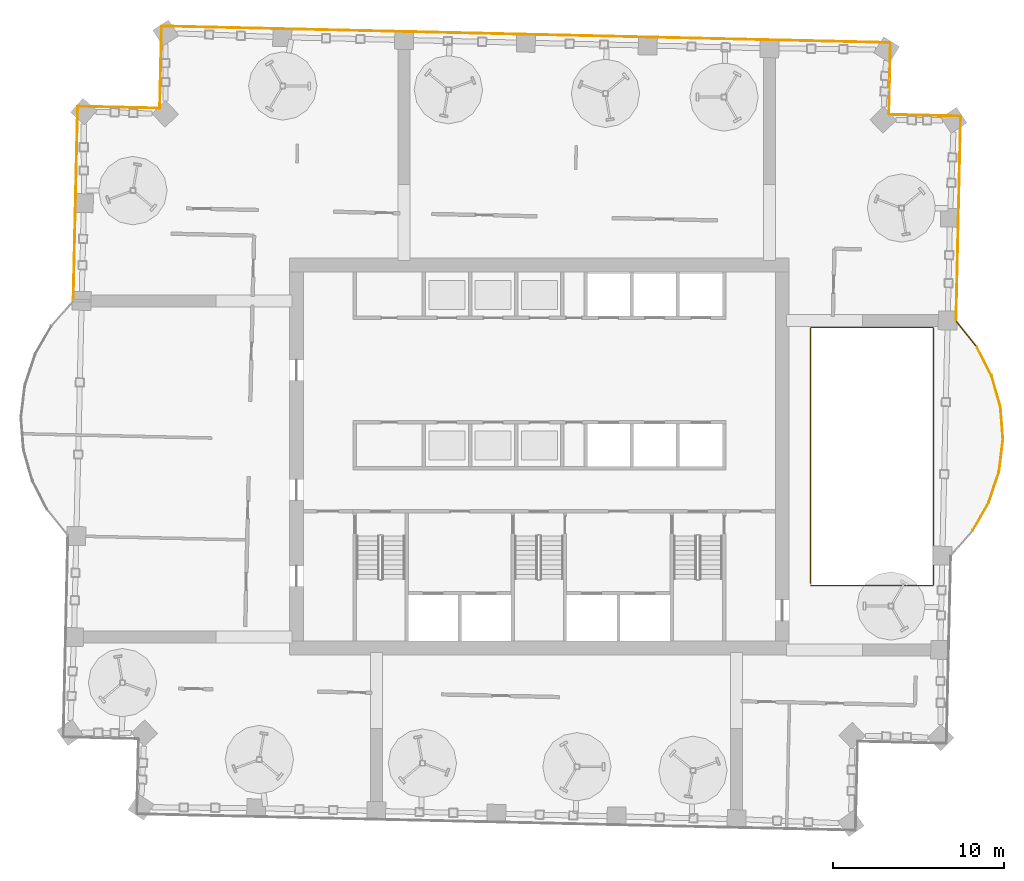
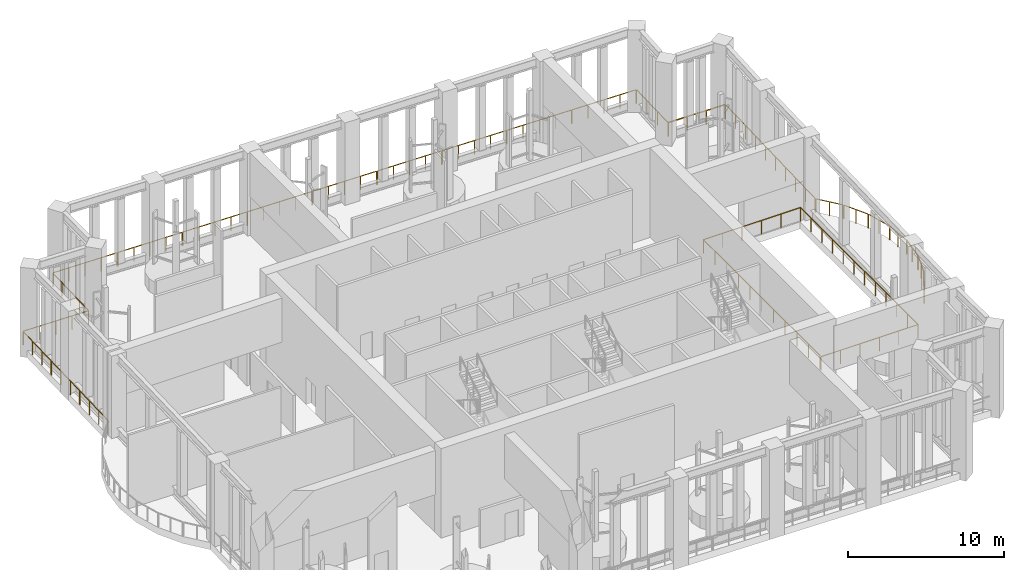
# One storey, part 31 of 33: 27 railings.
"""IFC4 building model written with IfcOpenShell, lengths in metres."""

from ifc_helpers import new_model, si_unit, direction, frame, origin, origin_2d, place, context, subcontext, project, spatial, rectangle, extrude, material, type_object, element, save


model = new_model("IFC4")

# Units and contexts
model_context = context("Model", 3, precision=1e-05, world=origin(), true_north=direction((0.0, 1.0)))
body_context = subcontext(model_context, "Body", "Model", "MODEL_VIEW")
ifc_project = project(units=[si_unit("LENGTHUNIT", "METRE"), si_unit("AREAUNIT", "SQUARE_METRE"), si_unit("VOLUMEUNIT", "CUBIC_METRE"), si_unit("PLANEANGLEUNIT", "RADIAN"), si_unit("MASSUNIT", "GRAM", prefix="KILO")], contexts=[model_context])

# Site, building, storey
site_placement = place(None, origin())
site = spatial("IfcSite", under=ifc_project, at=site_placement, CompositionType="ELEMENT")
building_placement = place(site_placement, origin())
building = spatial("IfcBuilding", under=site, at=building_placement, Name="Mangrove Gate Tower", CompositionType="ELEMENT")
storey_placement = place(building_placement, frame((0.0, 0.0, 219.5)))
storey = spatial("IfcBuildingStorey", under=building, at=storey_placement, Name="L56", CompositionType="ELEMENT", Elevation=219.5)

# Railings
ifc_material = material(Name="Stainless steel grade 316 with laminated glass infill", Category="steel")
railing_type = type_object("IfcRailingType", Name="Balcony guard 1100", PredefinedType="GUARDRAIL", material=ifc_material)
railing_1_placement = place(storey_placement, frame((25.337890625, -4.31298828125, 0.0)))
element("IfcRailing", 1, at=railing_1_placement, inside=storey, type_object=railing_type, Name="GUARD L56 slot 5", PredefinedType="GUARDRAIL", context=body_context, shape_type="SweptSolid", body=[
    extrude(rectangle(XDim=0.048095703125, YDim=0.048095703125, at=origin_2d()), frame((0.0, 0.0, 1.076171875), z_axis=(0.498692827575, 0.866778785923, 0.0), x_axis=(-0.866778785923, 0.498692827575, 0.0)), (0.0, 0.0, 1.0), 1.84130859375),
    extrude(rectangle(XDim=0.0419921875, YDim=0.0419921875, at=origin_2d()), origin(), (0.0, 0.0, 1.0), 1.052001953125),
    extrude(rectangle(XDim=0.0419921875, YDim=0.0419921875, at=origin_2d()), frame((0.458984375, 0.7978515625, 0.0)), (0.0, 0.0, 1.0), 1.052001953125),
    extrude(rectangle(XDim=0.0419921875, YDim=0.0419921875, at=origin_2d()), frame((0.918212890625, 1.595947265625, 0.0)), (0.0, 0.0, 1.0), 1.052001953125),
])
railing_2_placement = place(storey_placement, frame((26.280029296875, -2.662109375, 0.0)))
element("IfcRailing", 2, at=railing_2_placement, inside=storey, type_object=railing_type, Name="GUARD L56 slot 6", PredefinedType="GUARDRAIL", context=body_context, shape_type="SweptSolid", body=[
    extrude(rectangle(XDim=0.048095703125, YDim=0.048095703125, at=origin_2d()), frame((0.0, 0.0, 1.076171875), z_axis=(0.316705170951, 0.948524029581, 0.0), x_axis=(-0.948524029581, 0.316705170951, 0.0)), (0.0, 0.0, 1.0), 1.8408203125),
    extrude(rectangle(XDim=0.0419921875, YDim=0.0419921875, at=origin_2d()), origin(), (0.0, 0.0, 1.0), 1.052001953125),
    extrude(rectangle(XDim=0.0419921875, YDim=0.0419921875, at=origin_2d()), frame((0.29150390625, 0.873046875, 0.0)), (0.0, 0.0, 1.0), 1.052001953125),
    extrude(rectangle(XDim=0.0419921875, YDim=0.0419921875, at=origin_2d()), frame((0.5830078125, 1.74609375, 0.0)), (0.0, 0.0, 1.0), 1.052001953125),
])
railing_3_placement = place(storey_placement, frame((26.8759765625, -0.85791015625, 0.0)))
element("IfcRailing", 3, at=railing_3_placement, inside=storey, type_object=railing_type, Name="GUARD L56 slot 7", PredefinedType="GUARDRAIL", context=body_context, shape_type="SweptSolid", body=[
    extrude(rectangle(XDim=0.048095703125, YDim=0.048095703125, at=origin_2d()), frame((0.0, 0.0, 1.076171875), z_axis=(0.122287864435, 0.992494674148, 0.0), x_axis=(-0.992494674148, 0.122287864435, 0.0)), (0.0, 0.0, 1.0), 1.8408203125),
    extrude(rectangle(XDim=0.0419921875, YDim=0.0419921875, at=origin_2d()), origin(), (0.0, 0.0, 1.0), 1.052001953125),
    extrude(rectangle(XDim=0.0419921875, YDim=0.0419921875, at=origin_2d()), frame((0.112548828125, 0.91357421875, 0.0)), (0.0, 0.0, 1.0), 1.052001953125),
    extrude(rectangle(XDim=0.0419921875, YDim=0.0419921875, at=origin_2d()), frame((0.22509765625, 1.826904296875, 0.0)), (0.0, 0.0, 1.0), 1.052001953125),
])
railing_4_placement = place(storey_placement, frame((27.10205078125, 1.029052734375, 0.0)))
element("IfcRailing", 4, at=railing_4_placement, inside=storey, type_object=railing_type, Name="GUARD L56 slot 8", PredefinedType="GUARDRAIL", context=body_context, shape_type="SweptSolid", body=[
    extrude(rectangle(XDim=0.048095703125, YDim=0.048095703125, at=origin_2d()), frame((0.0, 0.0, 1.076171875), z_axis=(-0.077203689265, 0.997015341088, 0.0), x_axis=(-0.997015341088, -0.077203689265, 0.0)), (0.0, 0.0, 1.0), 1.84033203125),
    extrude(rectangle(XDim=0.0419921875, YDim=0.0419921875, at=origin_2d()), origin(), (0.0, 0.0, 1.0), 1.052001953125),
    extrude(rectangle(XDim=0.0419921875, YDim=0.0419921875, at=origin_2d()), frame((-0.071044921875, 0.91748046875, 0.0)), (0.0, 0.0, 1.0), 1.052001953125),
    extrude(rectangle(XDim=0.0419921875, YDim=0.0419921875, at=origin_2d()), frame((-0.14208984375, 1.8349609375, 0.0)), (0.0, 0.0, 1.0), 1.052001953125),
])
railing_5_placement = place(storey_placement, frame((26.949951171875, 2.923095703125, 0.0)))
element("IfcRailing", 5, at=railing_5_placement, inside=storey, type_object=railing_type, Name="GUARD L56 slot 9", PredefinedType="GUARDRAIL", context=body_context, shape_type="SweptSolid", body=[
    extrude(rectangle(XDim=0.048095703125, YDim=0.048095703125, at=origin_2d()), frame((0.0, 0.0, 1.076171875), z_axis=(-0.27331894354, 0.961923466343, 0.0), x_axis=(-0.961923466343, -0.27331894354, 0.0)), (0.0, 0.0, 1.0), 1.840087890625),
    extrude(rectangle(XDim=0.0419921875, YDim=0.0419921875, at=origin_2d()), origin(), (0.0, 0.0, 1.0), 1.052001953125),
    extrude(rectangle(XDim=0.0419921875, YDim=0.0419921875, at=origin_2d()), frame((-0.25146484375, 0.885009765625, 0.0)), (0.0, 0.0, 1.0), 1.052001953125),
    extrude(rectangle(XDim=0.0419921875, YDim=0.0419921875, at=origin_2d()), frame((-0.5029296875, 1.77001953125, 0.0)), (0.0, 0.0, 1.0), 1.052001953125),
])
railing_6_placement = place(storey_placement, frame((26.425048828125, 4.7490234375, 0.0)))
element("IfcRailing", 6, at=railing_6_placement, inside=storey, type_object=railing_type, Name="GUARD L56 slot 10", PredefinedType="GUARDRAIL", context=body_context, shape_type="SweptSolid", body=[
    extrude(rectangle(XDim=0.048095703125, YDim=0.048095703125, at=origin_2d()), frame((0.0, 0.0, 1.076171875), z_axis=(-0.458477378377, 0.888706078249, 0.0), x_axis=(-0.888706078249, -0.458477378377, 0.0)), (0.0, 0.0, 1.0), 1.8408203125),
    extrude(rectangle(XDim=0.0419921875, YDim=0.0419921875, at=origin_2d()), origin(), (0.0, 0.0, 1.0), 1.052001953125),
    extrude(rectangle(XDim=0.0419921875, YDim=0.0419921875, at=origin_2d()), frame((-0.421875, 0.81787109375, 0.0)), (0.0, 0.0, 1.0), 1.052001953125),
    extrude(rectangle(XDim=0.0419921875, YDim=0.0419921875, at=origin_2d()), frame((-0.843994140625, 1.635986328125, 0.0)), (0.0, 0.0, 1.0), 1.052001953125),
])
railing_7_placement = place(storey_placement, frame((25.549072265625, 6.43505859375, 0.0)))
element("IfcRailing", 7, at=railing_7_placement, inside=storey, type_object=railing_type, Name="GUARD L56 slot 11", PredefinedType="GUARDRAIL", context=body_context, shape_type="SweptSolid", body=[
    extrude(rectangle(XDim=0.048095703125, YDim=0.048095703125, at=origin_2d()), frame((0.0, 0.0, 1.076171875), z_axis=(-0.625602685637, 0.780141833081, 0.0), x_axis=(-0.780141833081, -0.625602685637, 0.0)), (0.0, 0.0, 1.0), 1.868896484375),
    extrude(rectangle(XDim=0.0419921875, YDim=0.0419921875, at=origin_2d()), origin(), (0.0, 0.0, 1.0), 1.052001953125),
    extrude(rectangle(XDim=0.0419921875, YDim=0.0419921875, at=origin_2d()), frame((-0.58447265625, 0.72900390625, 0.0)), (0.0, 0.0, 1.0), 1.052001953125),
    extrude(rectangle(XDim=0.0419921875, YDim=0.0419921875, at=origin_2d()), frame((-1.169189453125, 1.4580078125, 0.0)), (0.0, 0.0, 1.0), 1.052001953125),
])
railing_8_placement = place(storey_placement, frame((24.362060546875, 7.946044921875, 0.0)))
element("IfcRailing", 8, at=railing_8_placement, inside=storey, type_object=railing_type, Name="GUARD L56 slot 12", PredefinedType="GUARDRAIL", context=body_context, shape_type="SweptSolid", body=[
    extrude(rectangle(XDim=0.048095703125, YDim=0.048095703125, at=origin_2d()), frame((0.0, 0.0, 1.076171875), z_axis=(0.022577690364, 0.99974509146, 0.0), x_axis=(-0.99974509146, 0.022577690364, 0.0)), (0.0, 0.0, 1.0), 3.93603515625),
    extrude(rectangle(XDim=0.0419921875, YDim=0.0419921875, at=origin_2d()), origin(), (0.0, 0.0, 1.0), 1.052001953125),
    extrude(rectangle(XDim=0.0419921875, YDim=0.0419921875, at=origin_2d()), frame((0.029541015625, 1.311767578125, 0.0)), (0.0, 0.0, 1.0), 1.052001953125),
    extrude(rectangle(XDim=0.0419921875, YDim=0.0419921875, at=origin_2d()), frame((0.059326171875, 2.623291015625, 0.0)), (0.0, 0.0, 1.0), 1.052001953125),
    extrude(rectangle(XDim=0.0419921875, YDim=0.0419921875, at=origin_2d()), frame((0.0888671875, 3.93505859375, 0.0)), (0.0, 0.0, 1.0), 1.052001953125),
])
railing_9_placement = place(storey_placement, frame((24.451904296875, 11.94091796875, 0.0)))
element("IfcRailing", 9, at=railing_9_placement, inside=storey, type_object=railing_type, Name="GUARD L56 slot 13", PredefinedType="GUARDRAIL", context=body_context, shape_type="SweptSolid", body=[
    extrude(rectangle(XDim=0.048095703125, YDim=0.048095703125, at=origin_2d()), frame((0.0, 0.0, 1.076171875), z_axis=(0.022645302236, 0.999743562263, 0.0), x_axis=(-0.999743562263, 0.022645302236, 0.0)), (0.0, 0.0, 1.0), 3.93505859375),
    extrude(rectangle(XDim=0.0419921875, YDim=0.0419921875, at=origin_2d()), origin(), (0.0, 0.0, 1.0), 1.052001953125),
    extrude(rectangle(XDim=0.0419921875, YDim=0.0419921875, at=origin_2d()), frame((0.02978515625, 1.311279296875, 0.0)), (0.0, 0.0, 1.0), 1.052001953125),
    extrude(rectangle(XDim=0.0419921875, YDim=0.0419921875, at=origin_2d()), frame((0.059326171875, 2.622802734375, 0.0)), (0.0, 0.0, 1.0), 1.052001953125),
    extrude(rectangle(XDim=0.0419921875, YDim=0.0419921875, at=origin_2d()), frame((0.089111328125, 3.93408203125, 0.0)), (0.0, 0.0, 1.0), 1.052001953125),
])
railing_10_placement = place(storey_placement, frame((24.54296875, 15.93505859375, 0.0)))
element("IfcRailing", 10, at=railing_10_placement, inside=storey, type_object=railing_type, Name="GUARD L56 slot 14", PredefinedType="GUARDRAIL", context=body_context, shape_type="SweptSolid", body=[
    extrude(rectangle(XDim=0.048095703125, YDim=0.048095703125, at=origin_2d()), frame((0.0, 0.0, 1.076171875), z_axis=(0.022639685238, 0.999743689479, 0.0), x_axis=(-0.999743689479, 0.022639685238, 0.0)), (0.0, 0.0, 1.0), 3.93603515625),
    extrude(rectangle(XDim=0.0419921875, YDim=0.0419921875, at=origin_2d()), origin(), (0.0, 0.0, 1.0), 1.052001953125),
    extrude(rectangle(XDim=0.0419921875, YDim=0.0419921875, at=origin_2d()), frame((0.02978515625, 1.311767578125, 0.0)), (0.0, 0.0, 1.0), 1.052001953125),
    extrude(rectangle(XDim=0.0419921875, YDim=0.0419921875, at=origin_2d()), frame((0.059326171875, 2.623291015625, 0.0)), (0.0, 0.0, 1.0), 1.052001953125),
    extrude(rectangle(XDim=0.0419921875, YDim=0.0419921875, at=origin_2d()), frame((0.089111328125, 3.93505859375, 0.0)), (0.0, 0.0, 1.0), 1.052001953125),
])
railing_11_placement = place(storey_placement, frame((24.60302734375, 19.89990234375, 0.0)))
element("IfcRailing", 11, at=railing_11_placement, inside=storey, type_object=railing_type, Name="GUARD L56 slot 15", PredefinedType="GUARDRAIL", context=body_context, shape_type="SweptSolid", body=[
    extrude(rectangle(XDim=0.048095703125, YDim=0.048095703125, at=origin_2d()), frame((0.0, 0.0, 1.076171875), z_axis=(-0.999742231175, 0.022703990975, 0.0), x_axis=(-0.022703990975, -0.999742231175, 0.0)), (0.0, 0.0, 1.0), 4.139892578125),
    extrude(rectangle(XDim=0.0419921875, YDim=0.0419921875, at=origin_2d()), origin(), (0.0, 0.0, 1.0), 1.052001953125),
    extrude(rectangle(XDim=0.0419921875, YDim=0.0419921875, at=origin_2d()), frame((-1.379638671875, 0.03125, 0.0)), (0.0, 0.0, 1.0), 1.052001953125),
    extrude(rectangle(XDim=0.0419921875, YDim=0.0419921875, at=origin_2d()), frame((-2.75927734375, 0.062744140625, 0.0)), (0.0, 0.0, 1.0), 1.052001953125),
    extrude(rectangle(XDim=0.0419921875, YDim=0.0419921875, at=origin_2d()), frame((-4.138916015625, 0.093994140625, 0.0)), (0.0, 0.0, 1.0), 1.052001953125),
])
railing_12_placement = place(storey_placement, frame((20.43505859375, 20.02490234375, 0.0)))
element("IfcRailing", 12, at=railing_12_placement, inside=storey, type_object=railing_type, Name="GUARD L56 slot 16", PredefinedType="GUARDRAIL", context=body_context, shape_type="SweptSolid", body=[
    extrude(rectangle(XDim=0.048095703125, YDim=0.048095703125, at=origin_2d()), frame((0.0, 0.0, 1.076171875), z_axis=(0.022466900482, 0.999747587335, 0.0), x_axis=(-0.999747587335, 0.022466900482, 0.0)), (0.0, 0.0, 1.0), 4.14013671875),
    extrude(rectangle(XDim=0.0419921875, YDim=0.0419921875, at=origin_2d()), origin(), (0.0, 0.0, 1.0), 1.052001953125),
    extrude(rectangle(XDim=0.0419921875, YDim=0.0419921875, at=origin_2d()), frame((0.031005859375, 1.379638671875, 0.0)), (0.0, 0.0, 1.0), 1.052001953125),
    extrude(rectangle(XDim=0.0419921875, YDim=0.0419921875, at=origin_2d()), frame((0.06201171875, 2.759521484375, 0.0)), (0.0, 0.0, 1.0), 1.052001953125),
    extrude(rectangle(XDim=0.0419921875, YDim=0.0419921875, at=origin_2d()), frame((0.093017578125, 4.13916015625, 0.0)), (0.0, 0.0, 1.0), 1.052001953125),
])
railing_13_placement = place(storey_placement, frame((20.4990234375, 24.194091796875, 0.0)))
element("IfcRailing", 13, at=railing_13_placement, inside=storey, type_object=railing_type, Name="GUARD L56 slot 17", PredefinedType="GUARDRAIL", context=body_context, shape_type="SweptSolid", body=[
    extrude(rectangle(XDim=0.048095703125, YDim=0.048095703125, at=origin_2d()), frame((0.0, 0.0, 1.076171875), z_axis=(-0.999738509657, 0.022867275953, 0.0), x_axis=(-0.022867275953, -0.999738509657, 0.0)), (0.0, 0.0, 1.0), 4.67626953125),
    extrude(rectangle(XDim=0.0419921875, YDim=0.0419921875, at=origin_2d()), origin(), (0.0, 0.0, 1.0), 1.052001953125),
    extrude(rectangle(XDim=0.0419921875, YDim=0.0419921875, at=origin_2d()), frame((-1.168701171875, 0.02685546875, 0.0)), (0.0, 0.0, 1.0), 1.052001953125),
    extrude(rectangle(XDim=0.0419921875, YDim=0.0419921875, at=origin_2d()), frame((-2.33740234375, 0.053466796875, 0.0)), (0.0, 0.0, 1.0), 1.052001953125),
    extrude(rectangle(XDim=0.0419921875, YDim=0.0419921875, at=origin_2d()), frame((-3.50634765625, 0.080078125, 0.0)), (0.0, 0.0, 1.0), 1.052001953125),
    extrude(rectangle(XDim=0.0419921875, YDim=0.0419921875, at=origin_2d()), frame((-4.675048828125, 0.10693359375, 0.0)), (0.0, 0.0, 1.0), 1.052001953125),
])
railing_14_placement = place(storey_placement, frame((15.763916015625, 24.302001953125, 0.0)))
element("IfcRailing", 14, at=railing_14_placement, inside=storey, type_object=railing_type, Name="GUARD L56 slot 18", PredefinedType="GUARDRAIL", context=body_context, shape_type="SweptSolid", body=[
    extrude(rectangle(XDim=0.048095703125, YDim=0.048095703125, at=origin_2d()), frame((0.0, 0.0, 1.076171875), z_axis=(-0.999743128022, 0.022664464979, 0.0), x_axis=(-0.022664464979, -0.999743128022, 0.0)), (0.0, 0.0, 1.0), 4.675048828125),
    extrude(rectangle(XDim=0.0419921875, YDim=0.0419921875, at=origin_2d()), origin(), (0.0, 0.0, 1.0), 1.052001953125),
    extrude(rectangle(XDim=0.0419921875, YDim=0.0419921875, at=origin_2d()), frame((-1.16845703125, 0.0263671875, 0.0)), (0.0, 0.0, 1.0), 1.052001953125),
    extrude(rectangle(XDim=0.0419921875, YDim=0.0419921875, at=origin_2d()), frame((-2.3369140625, 0.052978515625, 0.0)), (0.0, 0.0, 1.0), 1.052001953125),
    extrude(rectangle(XDim=0.0419921875, YDim=0.0419921875, at=origin_2d()), frame((-3.50537109375, 0.07958984375, 0.0)), (0.0, 0.0, 1.0), 1.052001953125),
    extrude(rectangle(XDim=0.0419921875, YDim=0.0419921875, at=origin_2d()), frame((-4.673828125, 0.10595703125, 0.0)), (0.0, 0.0, 1.0), 1.052001953125),
])
railing_15_placement = place(storey_placement, frame((11.030029296875, 24.408935546875, 0.0)))
element("IfcRailing", 15, at=railing_15_placement, inside=storey, type_object=railing_type, Name="GUARD L56 slot 19", PredefinedType="GUARDRAIL", context=body_context, shape_type="SweptSolid", body=[
    extrude(rectangle(XDim=0.048095703125, YDim=0.048095703125, at=origin_2d()), frame((0.0, 0.0, 1.076171875), z_axis=(-0.999743262097, 0.022658550094, 0.0), x_axis=(-0.022658550094, -0.999743262097, 0.0)), (0.0, 0.0, 1.0), 4.67626953125),
    extrude(rectangle(XDim=0.0419921875, YDim=0.0419921875, at=origin_2d()), origin(), (0.0, 0.0, 1.0), 1.052001953125),
    extrude(rectangle(XDim=0.0419921875, YDim=0.0419921875, at=origin_2d()), frame((-1.168701171875, 0.0263671875, 0.0)), (0.0, 0.0, 1.0), 1.052001953125),
    extrude(rectangle(XDim=0.0419921875, YDim=0.0419921875, at=origin_2d()), frame((-2.33740234375, 0.052978515625, 0.0)), (0.0, 0.0, 1.0), 1.052001953125),
    extrude(rectangle(XDim=0.0419921875, YDim=0.0419921875, at=origin_2d()), frame((-3.50634765625, 0.07958984375, 0.0)), (0.0, 0.0, 1.0), 1.052001953125),
    extrude(rectangle(XDim=0.0419921875, YDim=0.0419921875, at=origin_2d()), frame((-4.675048828125, 0.10595703125, 0.0)), (0.0, 0.0, 1.0), 1.052001953125),
])
railing_16_placement = place(storey_placement, frame((6.294921875, 24.51708984375, 0.0)))
element("IfcRailing", 16, at=railing_16_placement, inside=storey, type_object=railing_type, Name="GUARD L56 slot 20", PredefinedType="GUARDRAIL", context=body_context, shape_type="SweptSolid", body=[
    extrude(rectangle(XDim=0.048095703125, YDim=0.048095703125, at=origin_2d()), frame((0.0, 0.0, 1.076171875), z_axis=(-0.99974323529, 0.022659732824, 0.0), x_axis=(-0.022659732824, -0.99974323529, 0.0)), (0.0, 0.0, 1.0), 4.676025390625),
    extrude(rectangle(XDim=0.0419921875, YDim=0.0419921875, at=origin_2d()), origin(), (0.0, 0.0, 1.0), 1.052001953125),
    extrude(rectangle(XDim=0.0419921875, YDim=0.0419921875, at=origin_2d()), frame((-1.168701171875, 0.0263671875, 0.0)), (0.0, 0.0, 1.0), 1.052001953125),
    extrude(rectangle(XDim=0.0419921875, YDim=0.0419921875, at=origin_2d()), frame((-2.33740234375, 0.052978515625, 0.0)), (0.0, 0.0, 1.0), 1.052001953125),
    extrude(rectangle(XDim=0.0419921875, YDim=0.0419921875, at=origin_2d()), frame((-3.506103515625, 0.07958984375, 0.0)), (0.0, 0.0, 1.0), 1.052001953125),
    extrude(rectangle(XDim=0.0419921875, YDim=0.0419921875, at=origin_2d()), frame((-4.6748046875, 0.10595703125, 0.0)), (0.0, 0.0, 1.0), 1.052001953125),
])
for number, where, name in (
    (17, (1.56005859375, 24.6240234375, 0.0), "GUARD L56 slot 21"),
    (18, (-3.175048828125, 24.73193359375, 0.0), "GUARD L56 slot 22"),
):
    element("IfcRailing", number, at=place(storey_placement, frame(where)), inside=storey, type_object=railing_type, Name=name, PredefinedType="GUARDRAIL", context=body_context, shape_type="SweptSolid", body=[
        extrude(rectangle(XDim=0.048095703125, YDim=0.048095703125, at=origin_2d()), frame((0.0, 0.0, 1.076171875), z_axis=(-0.999743262097, 0.022658550094, 0.0), x_axis=(-0.022658550094, -0.999743262097, 0.0)), (0.0, 0.0, 1.0), 4.67626953125),
        extrude(rectangle(XDim=0.0419921875, YDim=0.0419921875, at=origin_2d()), origin(), (0.0, 0.0, 1.0), 1.052001953125),
        extrude(rectangle(XDim=0.0419921875, YDim=0.0419921875, at=origin_2d()), frame((-1.168701171875, 0.0263671875, 0.0)), (0.0, 0.0, 1.0), 1.052001953125),
        extrude(rectangle(XDim=0.0419921875, YDim=0.0419921875, at=origin_2d()), frame((-2.33740234375, 0.052978515625, 0.0)), (0.0, 0.0, 1.0), 1.052001953125),
        extrude(rectangle(XDim=0.0419921875, YDim=0.0419921875, at=origin_2d()), frame((-3.50634765625, 0.07958984375, 0.0)), (0.0, 0.0, 1.0), 1.052001953125),
        extrude(rectangle(XDim=0.0419921875, YDim=0.0419921875, at=origin_2d()), frame((-4.675048828125, 0.10595703125, 0.0)), (0.0, 0.0, 1.0), 1.052001953125),
    ])
railing_17_placement = place(storey_placement, frame((-7.909912109375, 24.839111328125, 0.0)))
element("IfcRailing", 19, at=railing_17_placement, inside=storey, type_object=railing_type, Name="GUARD L56 slot 23", PredefinedType="GUARDRAIL", context=body_context, shape_type="SweptSolid", body=[
    extrude(rectangle(XDim=0.048095703125, YDim=0.048095703125, at=origin_2d()), frame((0.0, 0.0, 1.076171875), z_axis=(-0.999743154845, 0.022663281755, 0.0), x_axis=(-0.022663281755, -0.999743154845, 0.0)), (0.0, 0.0, 1.0), 4.67529296875),
    extrude(rectangle(XDim=0.0419921875, YDim=0.0419921875, at=origin_2d()), origin(), (0.0, 0.0, 1.0), 1.052001953125),
    extrude(rectangle(XDim=0.0419921875, YDim=0.0419921875, at=origin_2d()), frame((-1.16845703125, 0.0263671875, 0.0)), (0.0, 0.0, 1.0), 1.052001953125),
    extrude(rectangle(XDim=0.0419921875, YDim=0.0419921875, at=origin_2d()), frame((-2.3369140625, 0.052978515625, 0.0)), (0.0, 0.0, 1.0), 1.052001953125),
    extrude(rectangle(XDim=0.0419921875, YDim=0.0419921875, at=origin_2d()), frame((-3.505615234375, 0.07958984375, 0.0)), (0.0, 0.0, 1.0), 1.052001953125),
    extrude(rectangle(XDim=0.0419921875, YDim=0.0419921875, at=origin_2d()), frame((-4.674072265625, 0.10595703125, 0.0)), (0.0, 0.0, 1.0), 1.052001953125),
])
for number, where, name in (
    (20, (-12.64404296875, 24.947021484375, 0.0), "GUARD L56 slot 24"),
    (21, (-17.37890625, 25.053955078125, 0.0), "GUARD L56 slot 25"),
):
    element("IfcRailing", number, at=place(storey_placement, frame(where)), inside=storey, type_object=railing_type, Name=name, PredefinedType="GUARDRAIL", context=body_context, shape_type="SweptSolid", body=[
        extrude(rectangle(XDim=0.048095703125, YDim=0.048095703125, at=origin_2d()), frame((0.0, 0.0, 1.076171875), z_axis=(-0.999743262097, 0.022658550094, 0.0), x_axis=(-0.022658550094, -0.999743262097, 0.0)), (0.0, 0.0, 1.0), 4.67626953125),
        extrude(rectangle(XDim=0.0419921875, YDim=0.0419921875, at=origin_2d()), origin(), (0.0, 0.0, 1.0), 1.052001953125),
        extrude(rectangle(XDim=0.0419921875, YDim=0.0419921875, at=origin_2d()), frame((-1.168701171875, 0.0263671875, 0.0)), (0.0, 0.0, 1.0), 1.052001953125),
        extrude(rectangle(XDim=0.0419921875, YDim=0.0419921875, at=origin_2d()), frame((-2.33740234375, 0.052978515625, 0.0)), (0.0, 0.0, 1.0), 1.052001953125),
        extrude(rectangle(XDim=0.0419921875, YDim=0.0419921875, at=origin_2d()), frame((-3.50634765625, 0.07958984375, 0.0)), (0.0, 0.0, 1.0), 1.052001953125),
        extrude(rectangle(XDim=0.0419921875, YDim=0.0419921875, at=origin_2d()), frame((-4.675048828125, 0.10595703125, 0.0)), (0.0, 0.0, 1.0), 1.052001953125),
    ])
railing_18_placement = place(storey_placement, frame((-22.0849609375, 25.131103515625, 0.0)))
element("IfcRailing", 22, at=railing_18_placement, inside=storey, type_object=railing_type, Name="GUARD L56 slot 26", PredefinedType="GUARDRAIL", context=body_context, shape_type="SweptSolid", body=[
    extrude(rectangle(XDim=0.048095703125, YDim=0.048095703125, at=origin_2d()), frame((0.0, 0.0, 1.076171875), z_axis=(-0.02255878301, -0.999745518274, 0.0), x_axis=(0.999745518274, -0.02255878301, 0.0)), (0.0, 0.0, 1.0), 4.740234375),
    extrude(rectangle(XDim=0.0419921875, YDim=0.0419921875, at=origin_2d()), origin(), (0.0, 0.0, 1.0), 1.052001953125),
    extrude(rectangle(XDim=0.0419921875, YDim=0.0419921875, at=origin_2d()), frame((-0.02685546875, -1.184814453125, 0.0)), (0.0, 0.0, 1.0), 1.052001953125),
    extrude(rectangle(XDim=0.0419921875, YDim=0.0419921875, at=origin_2d()), frame((-0.053466796875, -2.36962890625, 0.0)), (0.0, 0.0, 1.0), 1.052001953125),
    extrude(rectangle(XDim=0.0419921875, YDim=0.0419921875, at=origin_2d()), frame((-0.080078125, -3.55419921875, 0.0)), (0.0, 0.0, 1.0), 1.052001953125),
    extrude(rectangle(XDim=0.0419921875, YDim=0.0419921875, at=origin_2d()), frame((-0.10693359375, -4.739013671875, 0.0)), (0.0, 0.0, 1.0), 1.052001953125),
])
railing_19_placement = place(storey_placement, frame((-22.222900390625, 20.363037109375, 0.0)))
element("IfcRailing", 23, at=railing_19_placement, inside=storey, type_object=railing_type, Name="GUARD L56 slot 27", PredefinedType="GUARDRAIL", context=body_context, shape_type="SweptSolid", body=[
    extrude(rectangle(XDim=0.048095703125, YDim=0.048095703125, at=origin_2d()), frame((0.0, 0.0, 1.076171875), z_axis=(-0.999745518274, 0.02255878301, 0.0), x_axis=(-0.02255878301, -0.999745518274, 0.0)), (0.0, 0.0, 1.0), 4.740234375),
    extrude(rectangle(XDim=0.0419921875, YDim=0.0419921875, at=origin_2d()), origin(), (0.0, 0.0, 1.0), 1.052001953125),
    extrude(rectangle(XDim=0.0419921875, YDim=0.0419921875, at=origin_2d()), frame((-1.184814453125, 0.02685546875, 0.0)), (0.0, 0.0, 1.0), 1.052001953125),
    extrude(rectangle(XDim=0.0419921875, YDim=0.0419921875, at=origin_2d()), frame((-2.36962890625, 0.053466796875, 0.0)), (0.0, 0.0, 1.0), 1.052001953125),
    extrude(rectangle(XDim=0.0419921875, YDim=0.0419921875, at=origin_2d()), frame((-3.55419921875, 0.080078125, 0.0)), (0.0, 0.0, 1.0), 1.052001953125),
    extrude(rectangle(XDim=0.0419921875, YDim=0.0419921875, at=origin_2d()), frame((-4.739013671875, 0.10693359375, 0.0)), (0.0, 0.0, 1.0), 1.052001953125),
])
railing_20_placement = place(storey_placement, frame((-26.991943359375, 20.44091796875, 0.0)))
element("IfcRailing", 24, at=railing_20_placement, inside=storey, type_object=railing_type, Name="GUARD L56 slot 28", PredefinedType="GUARDRAIL", context=body_context, shape_type="SweptSolid", body=[
    extrude(rectangle(XDim=0.048095703125, YDim=0.048095703125, at=origin_2d()), frame((0.0, 0.0, 1.076171875), z_axis=(-0.02274218815, -0.999741362993, 0.0), x_axis=(0.999741362993, -0.02274218815, 0.0)), (0.0, 0.0, 1.0), 3.73583984375),
    extrude(rectangle(XDim=0.0419921875, YDim=0.0419921875, at=origin_2d()), origin(), (0.0, 0.0, 1.0), 1.052001953125),
    extrude(rectangle(XDim=0.0419921875, YDim=0.0419921875, at=origin_2d()), frame((-0.0283203125, -1.244873046875, 0.0)), (0.0, 0.0, 1.0), 1.052001953125),
    extrude(rectangle(XDim=0.0419921875, YDim=0.0419921875, at=origin_2d()), frame((-0.056640625, -2.489990234375, 0.0)), (0.0, 0.0, 1.0), 1.052001953125),
    extrude(rectangle(XDim=0.0419921875, YDim=0.0419921875, at=origin_2d()), frame((-0.0849609375, -3.73486328125, 0.0)), (0.0, 0.0, 1.0), 1.052001953125),
])
railing_21_placement = place(storey_placement, frame((-27.077880859375, 16.64599609375, 0.0)))
element("IfcRailing", 25, at=railing_21_placement, inside=storey, type_object=railing_type, Name="GUARD L56 slot 29", PredefinedType="GUARDRAIL", context=body_context, shape_type="SweptSolid", body=[
    extrude(rectangle(XDim=0.048095703125, YDim=0.048095703125, at=origin_2d()), frame((0.0, 0.0, 1.076171875), z_axis=(-0.022813467301, -0.999739738987, 0.0), x_axis=(0.999739738987, -0.022813467301, 0.0)), (0.0, 0.0, 1.0), 3.73486328125),
    extrude(rectangle(XDim=0.0419921875, YDim=0.0419921875, at=origin_2d()), origin(), (0.0, 0.0, 1.0), 1.052001953125),
    extrude(rectangle(XDim=0.0419921875, YDim=0.0419921875, at=origin_2d()), frame((-0.0283203125, -1.24462890625, 0.0)), (0.0, 0.0, 1.0), 1.052001953125),
    extrude(rectangle(XDim=0.0419921875, YDim=0.0419921875, at=origin_2d()), frame((-0.056884765625, -2.4892578125, 0.0)), (0.0, 0.0, 1.0), 1.052001953125),
    extrude(rectangle(XDim=0.0419921875, YDim=0.0419921875, at=origin_2d()), frame((-0.085205078125, -3.73388671875, 0.0)), (0.0, 0.0, 1.0), 1.052001953125),
])
railing_22_placement = place(storey_placement, frame((-27.1640625, 12.85205078125, 0.0)))
element("IfcRailing", 26, at=railing_22_placement, inside=storey, type_object=railing_type, Name="GUARD L56 slot 30", PredefinedType="GUARDRAIL", context=body_context, shape_type="SweptSolid", body=[
    extrude(rectangle(XDim=0.048095703125, YDim=0.048095703125, at=origin_2d()), frame((0.0, 0.0, 1.076171875), z_axis=(-0.022740702404, -0.999741396789, 0.0), x_axis=(0.999741396789, -0.022740702404, 0.0)), (0.0, 0.0, 1.0), 3.736083984375),
    extrude(rectangle(XDim=0.0419921875, YDim=0.0419921875, at=origin_2d()), origin(), (0.0, 0.0, 1.0), 1.052001953125),
    extrude(rectangle(XDim=0.0419921875, YDim=0.0419921875, at=origin_2d()), frame((-0.0283203125, -1.2451171875, 0.0)), (0.0, 0.0, 1.0), 1.052001953125),
    extrude(rectangle(XDim=0.0419921875, YDim=0.0419921875, at=origin_2d()), frame((-0.056640625, -2.489990234375, 0.0)), (0.0, 0.0, 1.0), 1.052001953125),
    extrude(rectangle(XDim=0.0419921875, YDim=0.0419921875, at=origin_2d()), frame((-0.0849609375, -3.735107421875, 0.0)), (0.0, 0.0, 1.0), 1.052001953125),
])
railing_23_placement = place(storey_placement, frame((15.860107421875, -7.5400390625, 0.0)))
element("IfcRailing", 27, at=railing_23_placement, inside=storey, type_object=railing_type, Name="GUARD L56 atrium", PredefinedType="GUARDRAIL", context=body_context, shape_type="SweptSolid", body=[
    extrude(rectangle(XDim=0.048095703125, YDim=0.048095703125, at=origin_2d()), frame((0.0, 0.0, 1.076171875), z_axis=(1.0, 0.0, 0.0), x_axis=(0.0, 1.0, 0.0)), (0.0, 0.0, 1.0), 7.1748046875),
    extrude(rectangle(XDim=0.048095703125, YDim=0.048095703125, at=origin_2d()), frame((7.1748046875, 0.0, 1.076171875), z_axis=(0.0, 1.0, 0.0), x_axis=(-1.0, 0.0, 0.0)), (0.0, 0.0, 1.0), 15.080078125),
    extrude(rectangle(XDim=0.048095703125, YDim=0.048095703125, at=origin_2d()), frame((7.1748046875, 15.080078125, 1.076171875), z_axis=(-1.0, 0.0, 0.0), x_axis=(0.0, -1.0, 0.0)), (0.0, 0.0, 1.0), 7.1748046875),
    extrude(rectangle(XDim=0.048095703125, YDim=0.048095703125, at=origin_2d()), frame((0.0, 15.080078125, 1.076171875), z_axis=(0.0, -1.0, 0.0), x_axis=(1.0, 0.0, 0.0)), (0.0, 0.0, 1.0), 14.9599609375),
    extrude(rectangle(XDim=0.0419921875, YDim=0.0419921875, at=origin_2d()), origin(), (0.0, 0.0, 1.0), 1.052001953125),
    extrude(rectangle(XDim=0.0419921875, YDim=0.0419921875, at=origin_2d()), frame((1.43505859375, 0.0, 0.0)), (0.0, 0.0, 1.0), 1.052001953125),
    extrude(rectangle(XDim=0.0419921875, YDim=0.0419921875, at=origin_2d()), frame((2.869873046875, 0.0, 0.0)), (0.0, 0.0, 1.0), 1.052001953125),
    extrude(rectangle(XDim=0.0419921875, YDim=0.0419921875, at=origin_2d()), frame((4.304931640625, 0.0, 0.0)), (0.0, 0.0, 1.0), 1.052001953125),
    extrude(rectangle(XDim=0.0419921875, YDim=0.0419921875, at=origin_2d()), frame((5.73974609375, 0.0, 0.0)), (0.0, 0.0, 1.0), 1.052001953125),
    extrude(rectangle(XDim=0.0419921875, YDim=0.0419921875, at=origin_2d()), frame((7.1748046875, 0.0, 0.0)), (0.0, 0.0, 1.0), 1.052001953125),
    extrude(rectangle(XDim=0.0419921875, YDim=0.0419921875, at=origin_2d()), frame((7.1748046875, 1.370849609375, 0.0)), (0.0, 0.0, 1.0), 1.052001953125),
    extrude(rectangle(XDim=0.0419921875, YDim=0.0419921875, at=origin_2d()), frame((7.1748046875, 2.741943359375, 0.0)), (0.0, 0.0, 1.0), 1.052001953125),
    extrude(rectangle(XDim=0.0419921875, YDim=0.0419921875, at=origin_2d()), frame((7.1748046875, 4.11279296875, 0.0)), (0.0, 0.0, 1.0), 1.052001953125),
    extrude(rectangle(XDim=0.0419921875, YDim=0.0419921875, at=origin_2d()), frame((7.1748046875, 5.483642578125, 0.0)), (0.0, 0.0, 1.0), 1.052001953125),
    extrude(rectangle(XDim=0.0419921875, YDim=0.0419921875, at=origin_2d()), frame((7.1748046875, 6.8544921875, 0.0)), (0.0, 0.0, 1.0), 1.052001953125),
    extrude(rectangle(XDim=0.0419921875, YDim=0.0419921875, at=origin_2d()), frame((7.1748046875, 8.2255859375, 0.0)), (0.0, 0.0, 1.0), 1.052001953125),
    extrude(rectangle(XDim=0.0419921875, YDim=0.0419921875, at=origin_2d()), frame((7.1748046875, 9.596435546875, 0.0)), (0.0, 0.0, 1.0), 1.052001953125),
    extrude(rectangle(XDim=0.0419921875, YDim=0.0419921875, at=origin_2d()), frame((7.1748046875, 10.96728515625, 0.0)), (0.0, 0.0, 1.0), 1.052001953125),
    extrude(rectangle(XDim=0.0419921875, YDim=0.0419921875, at=origin_2d()), frame((7.1748046875, 12.338134765625, 0.0)), (0.0, 0.0, 1.0), 1.052001953125),
    extrude(rectangle(XDim=0.0419921875, YDim=0.0419921875, at=origin_2d()), frame((7.1748046875, 13.709228515625, 0.0)), (0.0, 0.0, 1.0), 1.052001953125),
    extrude(rectangle(XDim=0.0419921875, YDim=0.0419921875, at=origin_2d()), frame((7.1748046875, 15.080078125, 0.0)), (0.0, 0.0, 1.0), 1.052001953125),
    extrude(rectangle(XDim=0.0419921875, YDim=0.0419921875, at=origin_2d()), frame((5.73974609375, 15.080078125, 0.0)), (0.0, 0.0, 1.0), 1.052001953125),
    extrude(rectangle(XDim=0.0419921875, YDim=0.0419921875, at=origin_2d()), frame((4.304931640625, 15.080078125, 0.0)), (0.0, 0.0, 1.0), 1.052001953125),
    extrude(rectangle(XDim=0.0419921875, YDim=0.0419921875, at=origin_2d()), frame((2.869873046875, 15.080078125, 0.0)), (0.0, 0.0, 1.0), 1.052001953125),
    extrude(rectangle(XDim=0.0419921875, YDim=0.0419921875, at=origin_2d()), frame((1.43505859375, 15.080078125, 0.0)), (0.0, 0.0, 1.0), 1.052001953125),
    extrude(rectangle(XDim=0.0419921875, YDim=0.0419921875, at=origin_2d()), frame((0.0, 15.080078125, 0.0)), (0.0, 0.0, 1.0), 1.052001953125),
    extrude(rectangle(XDim=0.0419921875, YDim=0.0419921875, at=origin_2d()), frame((0.0, 13.583984375, 0.0)), (0.0, 0.0, 1.0), 1.052001953125),
    extrude(rectangle(XDim=0.0419921875, YDim=0.0419921875, at=origin_2d()), frame((0.0, 12.088134765625, 0.0)), (0.0, 0.0, 1.0), 1.052001953125),
    extrude(rectangle(XDim=0.0419921875, YDim=0.0419921875, at=origin_2d()), frame((0.0, 10.592041015625, 0.0)), (0.0, 0.0, 1.0), 1.052001953125),
    extrude(rectangle(XDim=0.0419921875, YDim=0.0419921875, at=origin_2d()), frame((0.0, 9.09619140625, 0.0)), (0.0, 0.0, 1.0), 1.052001953125),
    extrude(rectangle(XDim=0.0419921875, YDim=0.0419921875, at=origin_2d()), frame((0.0, 7.60009765625, 0.0)), (0.0, 0.0, 1.0), 1.052001953125),
    extrude(rectangle(XDim=0.0419921875, YDim=0.0419921875, at=origin_2d()), frame((0.0, 6.10400390625, 0.0)), (0.0, 0.0, 1.0), 1.052001953125),
    extrude(rectangle(XDim=0.0419921875, YDim=0.0419921875, at=origin_2d()), frame((0.0, 4.608154296875, 0.0)), (0.0, 0.0, 1.0), 1.052001953125),
    extrude(rectangle(XDim=0.0419921875, YDim=0.0419921875, at=origin_2d()), frame((0.0, 3.112060546875, 0.0)), (0.0, 0.0, 1.0), 1.052001953125),
    extrude(rectangle(XDim=0.0419921875, YDim=0.0419921875, at=origin_2d()), frame((0.0, 1.6162109375, 0.0)), (0.0, 0.0, 1.0), 1.052001953125),
    extrude(rectangle(XDim=0.0419921875, YDim=0.0419921875, at=origin_2d()), frame((0.0, 0.1201171875, 0.0)), (0.0, 0.0, 1.0), 1.052001953125),
])

save(model, "model.ifc")
